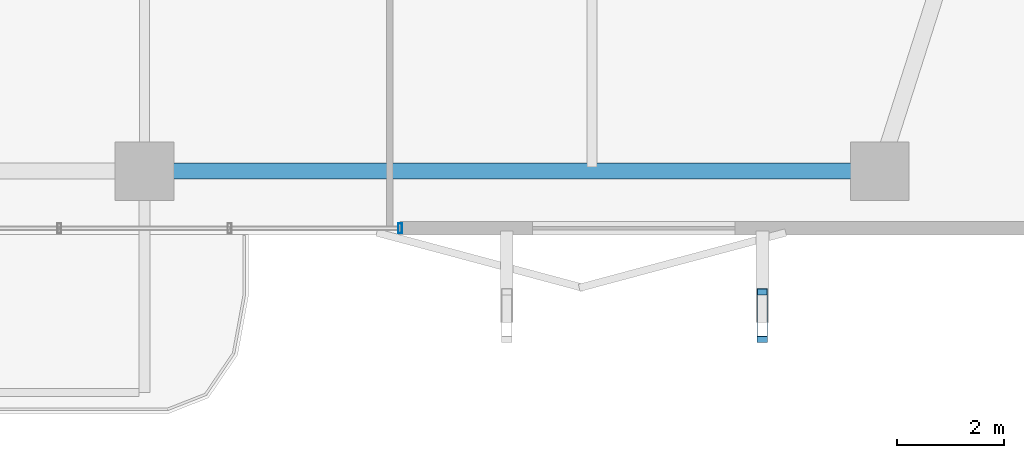
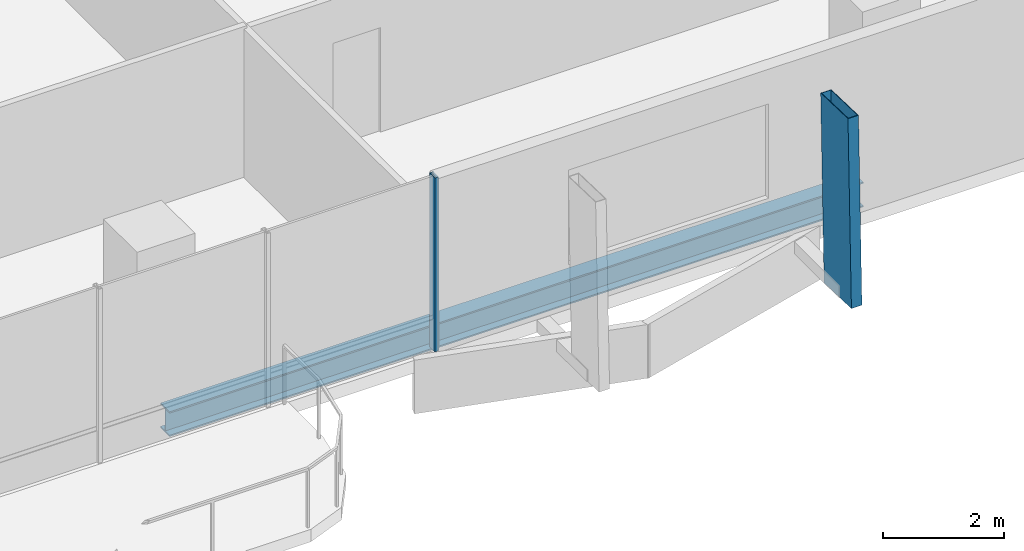
# One storey, part 8 of 25: 2 members, 1 beam, 1 element without a shape of its own.
"""IFC4 building model written with IfcOpenShell, lengths in metres."""

from ifc_helpers import new_model, si_unit, direction, frame, origin, origin_2d, place, context, subcontext, project, spatial, hollow_rectangle, i_section, extrude, material, layer, layer_set, material_profile, profile_set, type_object, element, aggregate, save


model = new_model("IFC4")

# Units and contexts
model_context = context("Model", 3, precision=1e-05, world=origin(), true_north=direction((0.0, 1.0)))
body_context = subcontext(model_context, "Body", "Model", "MODEL_VIEW")
ifc_project = project(units=[si_unit("LENGTHUNIT", "METRE"), si_unit("AREAUNIT", "SQUARE_METRE"), si_unit("VOLUMEUNIT", "CUBIC_METRE"), si_unit("PLANEANGLEUNIT", "RADIAN"), si_unit("MASSUNIT", "GRAM", prefix="KILO")], contexts=[model_context])

# Site, building, storey
site_placement = place(None, origin())
site = spatial("IfcSite", under=ifc_project, at=site_placement, CompositionType="ELEMENT")
building_placement = place(site_placement, origin())
building = spatial("IfcBuilding", under=site, at=building_placement, Name="Belovzor Exchange Tower", CompositionType="ELEMENT")
storey_placement = place(building_placement, frame((0.0, 0.0, 149.550048828125)))
storey = spatial("IfcBuildingStorey", under=building, at=storey_placement, Name="L36", CompositionType="ELEMENT", Elevation=149.550048828125)

# Member
ifc_material_1 = material(Name="Extruded Architectural Terracotta on Steel S355 Carrier", Category="masonry")
ifc_material_profile_1 = material_profile(ifc_material_1, hollow_rectangle(XDim=0.199951171875, YDim=0.89990234375, WallThickness=0.011962890625, at=origin_2d()))
ifc_profile_set_1 = profile_set([ifc_material_profile_1], Name="Extruded Architectural Terracotta on Steel S355 Carrier")
member_type_1 = type_object("IfcMemberType", Name="Sweeping Terracotta Baguette Fin Assembly 1250", PredefinedType="USERDEFINED", material=ifc_profile_set_1)
member_1_placement = place(storey_placement, frame((40.39990234375, 2.93603515625, -0.255126953125), z_axis=(0.0, 0.030129544208, 0.999546002226), x_axis=(-1.0, 0.0, 0.0)))
element("IfcMember", 1, at=member_1_placement, inside=storey, type_object=member_type_1, Name="FIN-TC125 Terracotta Facade Fin L36 S4", ObjectType="FIN", PredefinedType="USERDEFINED", context=body_context, shape_type="SweptSolid", body=[
    extrude(hollow_rectangle(XDim=0.199951171875, YDim=0.89990234375, WallThickness=0.011962890625, at=origin_2d()), origin(), (0.0, 0.0, 1.0), 3.751708984375),
])

# Curtain wall, member
ifc_material_2 = material(Name="Anodised Aluminium Framing", Category="aluminium")
ifc_layer = layer(ifc_material_2, 0.179931640625)
ifc_layer_set = layer_set([ifc_layer], Name="Anodised Aluminium Framing")
curtain_wall_type = type_object("IfcCurtainWallType", Name="Recessed Loggia Low-Iron Triple-Glazed Curtain Wall", PredefinedType="NOTDEFINED", material=ifc_layer_set)
curtain_wall_placement = place(storey_placement, origin())
curtain_wall = element("IfcCurtainWall", 2, at=curtain_wall_placement, inside=storey, type_object=curtain_wall_type, Name="CW3 Recessed Loggia Low-Iron Triple-Glazed Curtain Wall L36", PredefinedType="NOTDEFINED")
ifc_material_3 = material(Name="Steel S355", Category="steel")
ifc_material_profile_2 = material_profile(ifc_material_3, hollow_rectangle(XDim=0.074951171875, YDim=0.179931640625, WallThickness=0.0048828125, at=origin_2d()))
ifc_profile_set_2 = profile_set([ifc_material_profile_2], Name="Steel S355")
member_type_2 = type_object("IfcMemberType", Name="Thermally Broken Curtain Wall Mullion 180x75", PredefinedType="MULLION", material=ifc_profile_set_2)
member_2_placement = place(storey_placement, frame((33.60009765625, 4.6298828125, 0.0), z_axis=(0.0, 0.0, 1.0), x_axis=(-1.0, 0.0, 0.0)))
member_2 = element("IfcMember", 3, at=member_2_placement, type_object=member_type_2, Name="CW-M180 Curtain Wall Mullion 1", PredefinedType="MULLION", context=body_context, shape_type="SweptSolid", body=[
    extrude(hollow_rectangle(XDim=0.074951171875, YDim=0.179931640625, WallThickness=0.0048828125, at=origin_2d()), origin(), (0.0, 0.0, 1.0), 3.494873046875),
])
aggregate(curtain_wall, [member_2])

# Beam
ifc_material_4 = material(Name="Steel S355", Category="steel")
ifc_material_profile_3 = material_profile(ifc_material_4, i_section(OverallWidth=0.300048828125, OverallDepth=0.5, WebThickness=0.014404296875, FlangeThickness=0.028076171875, at=origin_2d()))
ifc_profile_set_3 = profile_set([ifc_material_profile_3], Name="Steel S355")
beam_type = type_object("IfcBeamType", Name="Zone 3 Waist Primary Girder HEB 500", PredefinedType="BEAM", material=ifc_profile_set_3)
beam_placement = place(storey_placement, frame((29.10205078125, 5.699951171875, -0.505126953125), z_axis=(1.0, 0.0, 0.0), x_axis=(0.0, 1.0, 0.0)))
element("IfcBeam", 4, at=beam_placement, inside=storey, type_object=beam_type, Name="FG-Z3 Zone 3 Waist Primary Girder HEB 500", PredefinedType="BEAM", context=body_context, shape_type="SweptSolid", body=[
    extrude(i_section(OverallWidth=0.300048828125, OverallDepth=0.5, WebThickness=0.014404296875, FlangeThickness=0.028076171875, at=origin_2d()), origin(), (0.0, 0.0, 1.0), 13.195068359375),
])

save(model, "model.ifc")
